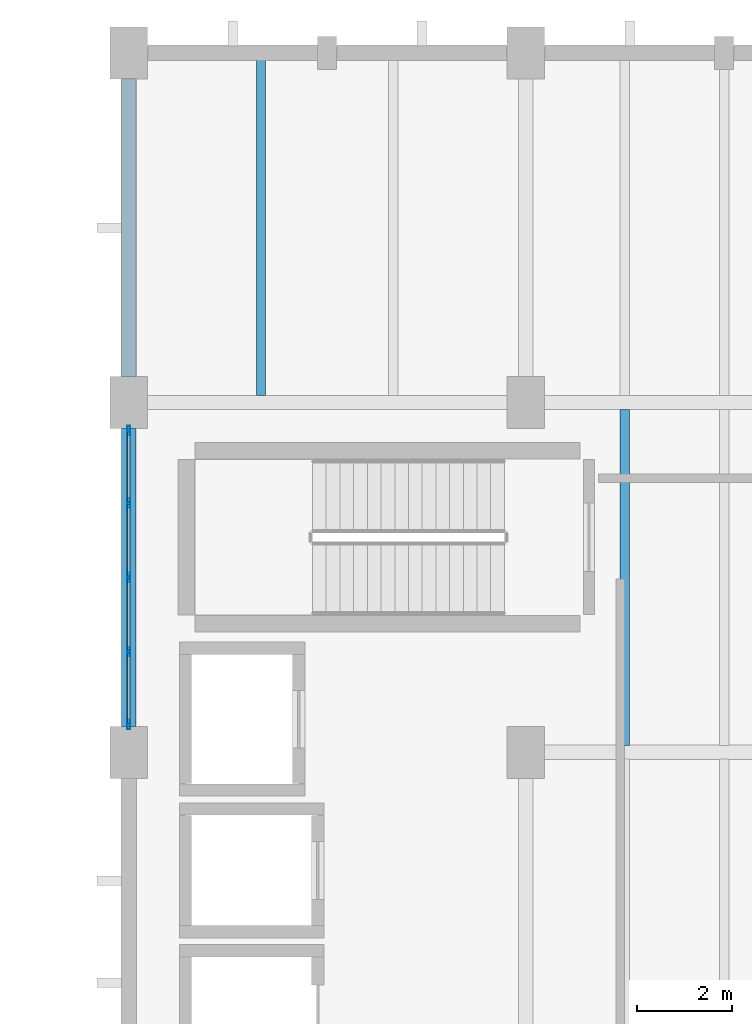
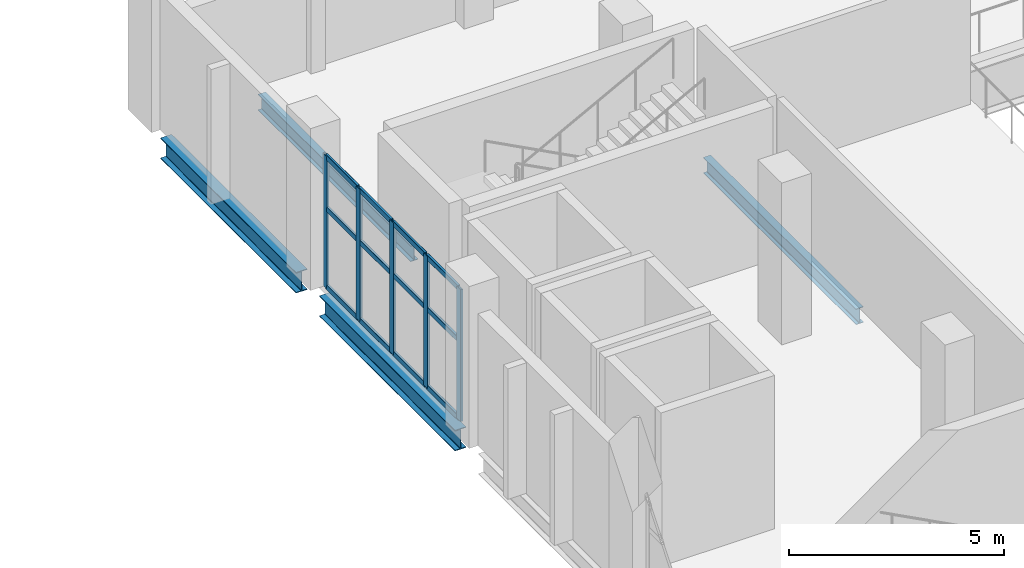
# One storey, part 34 of 74: 17 members, 4 beams, 1 element without a shape of its own.
"""IFC4 building model written with IfcOpenShell, lengths in metres."""

from ifc_helpers import new_model, si_unit, direction, frame, origin, origin_2d, place, context, subcontext, project, spatial, hollow_rectangle, i_section, extrude, material, material_profile, profile_set, type_object, element, aggregate, save


model = new_model("IFC4")

# Units and contexts
model_context = context("Model", 3, precision=1e-05, world=origin(), true_north=direction((0.0, 1.0)))
body_context = subcontext(model_context, "Body", "Model", "MODEL_VIEW")
ifc_project = project(units=[si_unit("LENGTHUNIT", "METRE"), si_unit("AREAUNIT", "SQUARE_METRE"), si_unit("VOLUMEUNIT", "CUBIC_METRE"), si_unit("PLANEANGLEUNIT", "RADIAN"), si_unit("MASSUNIT", "GRAM", prefix="KILO")], contexts=[model_context])

# Site, building, storey
site_placement = place(None, origin())
site = spatial("IfcSite", under=ifc_project, at=site_placement, CompositionType="ELEMENT")
building_placement = place(site_placement, origin())
building = spatial("IfcBuilding", under=site, at=building_placement, Name="Shengluoqiao Park Theatre", CompositionType="ELEMENT")
storey_placement = place(building_placement, frame((0.0, 0.0, 14.60009765625)))
storey = spatial("IfcBuildingStorey", under=building, at=storey_placement, Name="L03", CompositionType="ELEMENT", Elevation=14.60009765625)

# Curtain wall, members
ifc_material_1 = material(Name="Aluminium 6063-T6", Category="aluminium")
curtain_wall_type = type_object("IfcCurtainWallType", Name="ENV-CW-CLERE", PredefinedType="NOTDEFINED", material=ifc_material_1)
curtain_wall_placement = place(storey_placement, origin())
curtain_wall = element("IfcCurtainWall", 1, at=curtain_wall_placement, inside=storey, type_object=curtain_wall_type, Name="L03 Curtain Wall CW-L03-0008", PredefinedType="NOTDEFINED")
ifc_material_profile_1 = material_profile(ifc_material_1, hollow_rectangle(XDim=0.06494140625, YDim=0.199951171875, WallThickness=0.0048828125, InnerFilletRadius=0.0048828125, OuterFilletRadius=0.010009765625, at=origin_2d()), Name="ALU MULLION 200x65x5")
ifc_profile_set_1 = profile_set([ifc_material_profile_1], Name="Aluminium 6063-T6")
member_type_1 = type_object("IfcMemberType", Name="ENV-MUL-200", PredefinedType="MULLION", material=ifc_profile_set_1)
member_1_placement = place(storey_placement, frame((44.39990234375, 99.78662109375, 0.0), z_axis=(0.0, 0.0, 1.0), x_axis=(-1.0, 0.0, 0.0)))
member_1 = element("IfcMember", 2, at=member_1_placement, type_object=member_type_1, Name="CW-06 mullion 1", PredefinedType="MULLION", context=body_context, shape_type="SweptSolid", body=[
    extrude(hollow_rectangle(XDim=0.06494140625, YDim=0.199951171875, WallThickness=0.0048828125, InnerFilletRadius=0.0048828125, OuterFilletRadius=0.010009765625, at=origin_2d()), origin(), (0.0, 0.0, 1.0), 3.75),
])
member_2_placement = place(storey_placement, frame((44.39990234375, 101.326904296875, 0.0), z_axis=(0.0, 0.0, 1.0), x_axis=(-1.0, 0.0, 0.0)))
member_2 = element("IfcMember", 3, at=member_2_placement, type_object=member_type_1, Name="CW-06 mullion 2", PredefinedType="MULLION", context=body_context, shape_type="SweptSolid", body=[
    extrude(hollow_rectangle(XDim=0.06494140625, YDim=0.199951171875, WallThickness=0.0048828125, InnerFilletRadius=0.0048828125, OuterFilletRadius=0.010009765625, at=origin_2d()), origin(), (0.0, 0.0, 1.0), 3.75),
])
member_3_placement = place(storey_placement, frame((44.39990234375, 102.89990234375, 0.0), z_axis=(0.0, 0.0, 1.0), x_axis=(-1.0, 0.0, 0.0)))
member_3 = element("IfcMember", 4, at=member_3_placement, type_object=member_type_1, Name="CW-06 mullion 3", PredefinedType="MULLION", context=body_context, shape_type="SweptSolid", body=[
    extrude(hollow_rectangle(XDim=0.06494140625, YDim=0.199951171875, WallThickness=0.0048828125, InnerFilletRadius=0.0048828125, OuterFilletRadius=0.010009765625, at=origin_2d()), origin(), (0.0, 0.0, 1.0), 3.75),
])
member_4_placement = place(storey_placement, frame((44.39990234375, 104.472900390625, 0.0), z_axis=(0.0, 0.0, 1.0), x_axis=(-1.0, 0.0, 0.0)))
member_4 = element("IfcMember", 5, at=member_4_placement, type_object=member_type_1, Name="CW-06 mullion 4", PredefinedType="MULLION", context=body_context, shape_type="SweptSolid", body=[
    extrude(hollow_rectangle(XDim=0.06494140625, YDim=0.199951171875, WallThickness=0.0048828125, InnerFilletRadius=0.0048828125, OuterFilletRadius=0.010009765625, at=origin_2d()), origin(), (0.0, 0.0, 1.0), 3.75),
])
member_5_placement = place(storey_placement, frame((44.39990234375, 106.013427734375, 0.0), z_axis=(0.0, 0.0, 1.0), x_axis=(-1.0, 0.0, 0.0)))
member_5 = element("IfcMember", 6, at=member_5_placement, type_object=member_type_1, Name="CW-06 mullion 5", PredefinedType="MULLION", context=body_context, shape_type="SweptSolid", body=[
    extrude(hollow_rectangle(XDim=0.06494140625, YDim=0.199951171875, WallThickness=0.0048828125, InnerFilletRadius=0.0048828125, OuterFilletRadius=0.010009765625, at=origin_2d()), origin(), (0.0, 0.0, 1.0), 3.75),
])
ifc_material_profile_2 = material_profile(ifc_material_1, hollow_rectangle(XDim=0.06494140625, YDim=0.14990234375, WallThickness=0.00390625, InnerFilletRadius=0.00390625, OuterFilletRadius=0.008056640625, at=origin_2d()), Name="ALU TRANSOM 150x65x4")
ifc_profile_set_2 = profile_set([ifc_material_profile_2], Name="Aluminium 6063-T6")
member_type_2 = type_object("IfcMemberType", Name="ENV-TRN-150", PredefinedType="USERDEFINED", material=ifc_profile_set_2)
member_6_placement = place(storey_placement, frame((44.39990234375, 99.819091796875, 0.032470703125), z_axis=(0.0, 1.0, 0.0), x_axis=(-1.0, 0.0, 0.0)))
member_6 = element("IfcMember", 7, at=member_6_placement, type_object=member_type_2, Name="CW-06 transom 1.1", ObjectType="TRANSOM", PredefinedType="USERDEFINED", context=body_context, shape_type="SweptSolid", body=[
    extrude(hollow_rectangle(XDim=0.06494140625, YDim=0.14990234375, WallThickness=0.00390625, InnerFilletRadius=0.00390625, OuterFilletRadius=0.008056640625, at=origin_2d()), origin(), (0.0, 0.0, 1.0), 1.475341796875),
])
member_7_placement = place(storey_placement, frame((44.39990234375, 99.819091796875, 2.25), z_axis=(0.0, 1.0, 0.0), x_axis=(-1.0, 0.0, 0.0)))
member_7 = element("IfcMember", 8, at=member_7_placement, type_object=member_type_2, Name="CW-06 transom 1.2", ObjectType="TRANSOM", PredefinedType="USERDEFINED", context=body_context, shape_type="SweptSolid", body=[
    extrude(hollow_rectangle(XDim=0.06494140625, YDim=0.14990234375, WallThickness=0.00390625, InnerFilletRadius=0.00390625, OuterFilletRadius=0.008056640625, at=origin_2d()), origin(), (0.0, 0.0, 1.0), 1.475341796875),
])
member_8_placement = place(storey_placement, frame((44.39990234375, 99.819091796875, 3.71728515625), z_axis=(0.0, 1.0, 0.0), x_axis=(-1.0, 0.0, 0.0)))
member_8 = element("IfcMember", 9, at=member_8_placement, type_object=member_type_2, Name="CW-06 transom 1.3", ObjectType="TRANSOM", PredefinedType="USERDEFINED", context=body_context, shape_type="SweptSolid", body=[
    extrude(hollow_rectangle(XDim=0.06494140625, YDim=0.14990234375, WallThickness=0.00390625, InnerFilletRadius=0.00390625, OuterFilletRadius=0.008056640625, at=origin_2d()), origin(), (0.0, 0.0, 1.0), 1.475341796875),
])
member_9_placement = place(storey_placement, frame((44.39990234375, 101.359619140625, 0.032470703125), z_axis=(0.0, 1.0, 0.0), x_axis=(-1.0, 0.0, 0.0)))
member_9 = element("IfcMember", 10, at=member_9_placement, type_object=member_type_2, Name="CW-06 transom 2.1", ObjectType="TRANSOM", PredefinedType="USERDEFINED", context=body_context, shape_type="SweptSolid", body=[
    extrude(hollow_rectangle(XDim=0.06494140625, YDim=0.14990234375, WallThickness=0.00390625, InnerFilletRadius=0.00390625, OuterFilletRadius=0.008056640625, at=origin_2d()), origin(), (0.0, 0.0, 1.0), 1.5078125),
])
member_10_placement = place(storey_placement, frame((44.39990234375, 101.359619140625, 2.25), z_axis=(0.0, 1.0, 0.0), x_axis=(-1.0, 0.0, 0.0)))
member_10 = element("IfcMember", 11, at=member_10_placement, type_object=member_type_2, Name="CW-06 transom 2.2", ObjectType="TRANSOM", PredefinedType="USERDEFINED", context=body_context, shape_type="SweptSolid", body=[
    extrude(hollow_rectangle(XDim=0.06494140625, YDim=0.14990234375, WallThickness=0.00390625, InnerFilletRadius=0.00390625, OuterFilletRadius=0.008056640625, at=origin_2d()), origin(), (0.0, 0.0, 1.0), 1.5078125),
])
member_11_placement = place(storey_placement, frame((44.39990234375, 101.359619140625, 3.71728515625), z_axis=(0.0, 1.0, 0.0), x_axis=(-1.0, 0.0, 0.0)))
member_11 = element("IfcMember", 12, at=member_11_placement, type_object=member_type_2, Name="CW-06 transom 2.3", ObjectType="TRANSOM", PredefinedType="USERDEFINED", context=body_context, shape_type="SweptSolid", body=[
    extrude(hollow_rectangle(XDim=0.06494140625, YDim=0.14990234375, WallThickness=0.00390625, InnerFilletRadius=0.00390625, OuterFilletRadius=0.008056640625, at=origin_2d()), origin(), (0.0, 0.0, 1.0), 1.5078125),
])
member_12_placement = place(storey_placement, frame((44.39990234375, 102.9326171875, 0.032470703125), z_axis=(0.0, 1.0, 0.0), x_axis=(-1.0, 0.0, 0.0)))
member_12 = element("IfcMember", 13, at=member_12_placement, type_object=member_type_2, Name="CW-06 transom 3.1", ObjectType="TRANSOM", PredefinedType="USERDEFINED", context=body_context, shape_type="SweptSolid", body=[
    extrude(hollow_rectangle(XDim=0.06494140625, YDim=0.14990234375, WallThickness=0.00390625, InnerFilletRadius=0.00390625, OuterFilletRadius=0.008056640625, at=origin_2d()), origin(), (0.0, 0.0, 1.0), 1.5078125),
])
member_13_placement = place(storey_placement, frame((44.39990234375, 102.9326171875, 2.25), z_axis=(0.0, 1.0, 0.0), x_axis=(-1.0, 0.0, 0.0)))
member_13 = element("IfcMember", 14, at=member_13_placement, type_object=member_type_2, Name="CW-06 transom 3.2", ObjectType="TRANSOM", PredefinedType="USERDEFINED", context=body_context, shape_type="SweptSolid", body=[
    extrude(hollow_rectangle(XDim=0.06494140625, YDim=0.14990234375, WallThickness=0.00390625, InnerFilletRadius=0.00390625, OuterFilletRadius=0.008056640625, at=origin_2d()), origin(), (0.0, 0.0, 1.0), 1.5078125),
])
member_14_placement = place(storey_placement, frame((44.39990234375, 102.9326171875, 3.71728515625), z_axis=(0.0, 1.0, 0.0), x_axis=(-1.0, 0.0, 0.0)))
member_14 = element("IfcMember", 15, at=member_14_placement, type_object=member_type_2, Name="CW-06 transom 3.3", ObjectType="TRANSOM", PredefinedType="USERDEFINED", context=body_context, shape_type="SweptSolid", body=[
    extrude(hollow_rectangle(XDim=0.06494140625, YDim=0.14990234375, WallThickness=0.00390625, InnerFilletRadius=0.00390625, OuterFilletRadius=0.008056640625, at=origin_2d()), origin(), (0.0, 0.0, 1.0), 1.5078125),
])
member_15_placement = place(storey_placement, frame((44.39990234375, 104.505615234375, 0.032470703125), z_axis=(0.0, 1.0, 0.0), x_axis=(-1.0, 0.0, 0.0)))
member_15 = element("IfcMember", 16, at=member_15_placement, type_object=member_type_2, Name="CW-06 transom 4.1", ObjectType="TRANSOM", PredefinedType="USERDEFINED", context=body_context, shape_type="SweptSolid", body=[
    extrude(hollow_rectangle(XDim=0.06494140625, YDim=0.14990234375, WallThickness=0.00390625, InnerFilletRadius=0.00390625, OuterFilletRadius=0.008056640625, at=origin_2d()), origin(), (0.0, 0.0, 1.0), 1.475341796875),
])
member_16_placement = place(storey_placement, frame((44.39990234375, 104.505615234375, 2.25), z_axis=(0.0, 1.0, 0.0), x_axis=(-1.0, 0.0, 0.0)))
member_16 = element("IfcMember", 17, at=member_16_placement, type_object=member_type_2, Name="CW-06 transom 4.2", ObjectType="TRANSOM", PredefinedType="USERDEFINED", context=body_context, shape_type="SweptSolid", body=[
    extrude(hollow_rectangle(XDim=0.06494140625, YDim=0.14990234375, WallThickness=0.00390625, InnerFilletRadius=0.00390625, OuterFilletRadius=0.008056640625, at=origin_2d()), origin(), (0.0, 0.0, 1.0), 1.475341796875),
])
member_17_placement = place(storey_placement, frame((44.39990234375, 104.505615234375, 3.71728515625), z_axis=(0.0, 1.0, 0.0), x_axis=(-1.0, 0.0, 0.0)))
member_17 = element("IfcMember", 18, at=member_17_placement, type_object=member_type_2, Name="CW-06 transom 4.3", ObjectType="TRANSOM", PredefinedType="USERDEFINED", context=body_context, shape_type="SweptSolid", body=[
    extrude(hollow_rectangle(XDim=0.06494140625, YDim=0.14990234375, WallThickness=0.00390625, InnerFilletRadius=0.00390625, OuterFilletRadius=0.008056640625, at=origin_2d()), origin(), (0.0, 0.0, 1.0), 1.475341796875),
])
aggregate(curtain_wall, [member_1, member_2, member_3, member_4, member_5, member_6, member_7, member_8, member_9, member_10, member_11, member_12, member_13, member_14, member_15, member_16, member_17])

# Beams
ifc_material_2 = material(Name="Steel Q355", Category="steel")
ifc_material_profile_3 = material_profile(ifc_material_2, i_section(OverallWidth=0.300048828125, OverallDepth=0.587890625, WebThickness=0.011962890625, FlangeThickness=0.02001953125, FilletRadius=0.02392578125, at=origin_2d()), Name="HM 588x300x12x20")
ifc_profile_set_3 = profile_set([ifc_material_profile_3], Name="Steel Q355")
beam_type_1 = type_object("IfcBeamType", Name="STR-BM-G-HM588", PredefinedType="BEAM", material=ifc_profile_set_3)
for number, where, z_axis, x_axis, name in (
    (19, (44.39990234375, 99.743896484375, -0.5341796875), (0.0, 1.0, 0.0), (-1.0, 0.0, 0.0), "L03 Transverse Girder 01217"),
    (20, (44.39990234375, 107.14404296875, -0.5341796875), (0.0, 1.0, 0.0), (-1.0, 0.0, 0.0), "L03 Transverse Girder 01218"),
):
    element("IfcBeam", number, at=place(storey_placement, frame(where, z_axis=z_axis, x_axis=x_axis)), inside=storey, type_object=beam_type_1, Name=name, PredefinedType="BEAM", context=body_context, shape_type="SweptSolid", body=[
        extrude(i_section(OverallWidth=0.300048828125, OverallDepth=0.587890625, WebThickness=0.011962890625, FlangeThickness=0.02001953125, FilletRadius=0.02392578125, at=origin_2d()), origin(), (0.0, 0.0, 1.0), 6.31201171875),
    ])
ifc_material_profile_4 = material_profile(ifc_material_2, i_section(OverallWidth=0.199951171875, OverallDepth=0.449951171875, WebThickness=0.009033203125, FlangeThickness=0.013916015625, FilletRadius=0.01611328125, at=origin_2d()), Name="HN 450x200x9x14")
ifc_profile_set_4 = profile_set([ifc_material_profile_4], Name="Steel Q355")
beam_type_2 = type_object("IfcBeamType", Name="STR-BM-J-HN450", PredefinedType="JOIST", material=ifc_profile_set_4)
beam_1_placement = place(storey_placement, frame((47.199951171875, 106.7451171875, -0.465087890625), z_axis=(0.0, 1.0, 0.0), x_axis=(-1.0, 0.0, 0.0)))
element("IfcBeam", 21, at=beam_1_placement, inside=storey, type_object=beam_type_2, Name="L03 Composite Joist 01229", PredefinedType="JOIST", context=body_context, shape_type="SweptSolid", body=[
    extrude(i_section(OverallWidth=0.199951171875, OverallDepth=0.449951171875, WebThickness=0.009033203125, FlangeThickness=0.013916015625, FilletRadius=0.01611328125, at=origin_2d()), origin(), (0.0, 0.0, 1.0), 7.10986328125),
])
beam_2_placement = place(storey_placement, frame((54.89990234375, 99.344970703125, -0.465087890625), z_axis=(0.0, 1.0, 0.0), x_axis=(-1.0, 0.0, 0.0)))
element("IfcBeam", 22, at=beam_2_placement, inside=storey, type_object=beam_type_2, Name="L03 Composite Joist 01240", PredefinedType="JOIST", context=body_context, shape_type="SweptSolid", body=[
    extrude(i_section(OverallWidth=0.199951171875, OverallDepth=0.449951171875, WebThickness=0.009033203125, FlangeThickness=0.013916015625, FilletRadius=0.01611328125, at=origin_2d()), origin(), (0.0, 0.0, 1.0), 7.110107421875),
])

save(model, "model.ifc")
